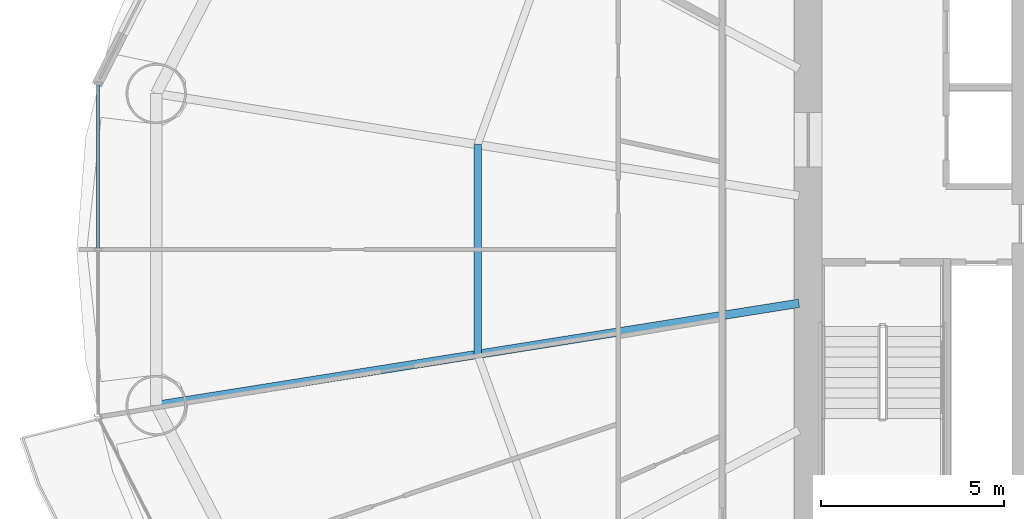
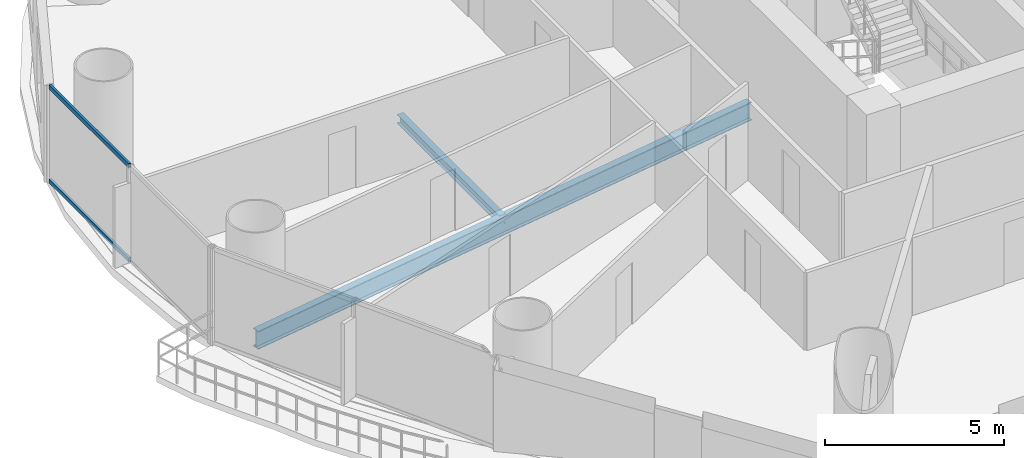
# One storey, part 7 of 29: 2 beams, 2 members, 1 element without a shape of its own.
"""IFC4 building model written with IfcOpenShell, lengths in metres."""

from ifc_helpers import new_model, si_unit, direction, frame, origin, origin_2d, place, context, subcontext, project, spatial, hollow_rectangle, i_section, extrude, source, transform, mapped, material, material_profile, profile_set, type_object, element, aggregate, save


model = new_model("IFC4")

# Units and contexts
model_context = context("Model", 3, precision=1e-05, world=origin(), true_north=direction((-0.2419218956, 0.970295726276)))
body_context = subcontext(model_context, "Body", "Model", "MODEL_VIEW")
ifc_project = project(units=[si_unit("LENGTHUNIT", "METRE"), si_unit("AREAUNIT", "SQUARE_METRE"), si_unit("VOLUMEUNIT", "CUBIC_METRE"), si_unit("PLANEANGLEUNIT", "RADIAN"), si_unit("MASSUNIT", "GRAM", prefix="KILO")], contexts=[model_context])

# Site, building, storey
site_placement = place(None, origin())
site = spatial("IfcSite", under=ifc_project, at=site_placement, CompositionType="ELEMENT")
building_placement = place(site_placement, origin())
building = spatial("IfcBuilding", under=site, at=building_placement, Name="Cobrevalo Terracotta Tower", CompositionType="ELEMENT")
storey_placement = place(building_placement, frame((0.0, 0.0, 49.199951171875)))
storey = spatial("IfcBuildingStorey", under=building, at=storey_placement, Name="L12", CompositionType="ELEMENT", Elevation=49.199951171875)

# Beams
ifc_material_1 = material(Name="Steel S355", Category="steel")
ifc_material_profile_1 = material_profile(ifc_material_1, i_section(OverallWidth=0.22998046875, OverallDepth=0.616943359375, WebThickness=0.01318359375, FlangeThickness=0.022216796875, at=origin_2d()), Name="W 610x140")
ifc_profile_set_1 = profile_set([ifc_material_profile_1], Name="Steel S355")
beam_type_1 = type_object("IfcBeamType", Name="Structural Beam W 610x140 (Steel S355)", PredefinedType="BEAM", material=ifc_profile_set_1)
beam_1_placement = place(storey_placement, frame((11.175537109375, 22.537353515625, -0.58837890625), z_axis=(0.987607924622, 0.156941349628, 0.0), x_axis=(-0.156941349628, 0.987607924622, 0.0)))
element("IfcBeam", 1, at=beam_1_placement, inside=storey, type_object=beam_type_1, Name="L12 radial floor girder 09", PredefinedType="BEAM", context=body_context, shape_type="SweptSolid", body=[
    extrude(i_section(OverallWidth=0.22998046875, OverallDepth=0.616943359375, WebThickness=0.01318359375, FlangeThickness=0.022216796875, at=origin_2d()), origin(), (0.0, 0.0, 1.0), 17.7900390625),
])
ifc_material_profile_2 = material_profile(ifc_material_1, i_section(OverallWidth=0.2041015625, OverallDepth=0.305908203125, WebThickness=0.008544921875, FlangeThickness=0.0146484375, at=origin_2d()), Name="W 310x67")
ifc_profile_set_2 = profile_set([ifc_material_profile_2], Name="Steel S355")
beam_type_2 = type_object("IfcBeamType", Name="Structural Joist W 310x67 (Steel S355)", PredefinedType="JOIST", material=ifc_profile_set_2)
beam_2_placement = place(storey_placement, frame((19.960205078125, 29.666748046875, -0.432861328125), z_axis=(0.0, -1.0, 0.0), x_axis=(1.0, 0.0, 0.0)))
element("IfcBeam", 2, at=beam_2_placement, inside=storey, type_object=beam_type_2, Name="L12 circumferential secondary floor joist 08", PredefinedType="JOIST", context=body_context, shape_type="SweptSolid", body=[
    extrude(i_section(OverallWidth=0.2041015625, OverallDepth=0.305908203125, WebThickness=0.008544921875, FlangeThickness=0.0146484375, at=origin_2d()), origin(), (0.0, 0.0, 1.0), 5.7333984375),
])

# Curtain wall, members
ifc_material_2 = material(Name="Anodized aluminium", Category="aluminium")
curtain_wall_type = type_object("IfcCurtainWallType", Name="Lower-tower unitised acoustic low-E curtain wall CW-U1", PredefinedType="NOTDEFINED", material=ifc_material_2)
curtain_wall_placement = place(storey_placement, origin())
curtain_wall = element("IfcCurtainWall", 3, at=curtain_wall_placement, inside=storey, type_object=curtain_wall_type, Name="L12 curtain wall CW-L12-S08", PredefinedType="NOTDEFINED")
ifc_material_profile_3 = material_profile(ifc_material_2, hollow_rectangle(XDim=0.074951171875, YDim=0.14990234375, WallThickness=0.00439453125, at=origin_2d()), Name="CWT 75x150")
ifc_profile_set_3 = profile_set([ifc_material_profile_3], Name="Anodized aluminium")
member_type = type_object("IfcMemberType", Name="Tower unitised aluminium transom 75x150", PredefinedType="USERDEFINED", material=ifc_profile_set_3)
shared_shape = source(origin(), body_context, "Body", "SweptSolid", [
    extrude(hollow_rectangle(XDim=0.074951171875, YDim=0.14990234375, WallThickness=0.00439453125, at=origin_2d()), origin(), (0.0, 0.0, 1.0), 4.458740234375),
])
member_1_placement = place(storey_placement, frame((9.586669921875, 31.298828125, 0.050048828125), z_axis=(0.0, -1.0, 0.0), x_axis=(1.0, 0.0, 0.0)))
member_1 = element("IfcMember", 4, at=member_1_placement, type_object=member_type, Name="CW-L12-S08 transom B01-T1", ObjectType="TRANSOM", PredefinedType="USERDEFINED", context=body_context, shape_type="MappedRepresentation", body=[
    mapped(shared_shape, transform((0.0, 0.0, 0.0), scale=1.0)),
])
member_2_placement = place(storey_placement, frame((9.586669921875, 31.298828125, 3.27001953125), z_axis=(0.0, -1.0, 0.0), x_axis=(1.0, 0.0, 0.0)))
member_2 = element("IfcMember", 5, at=member_2_placement, type_object=member_type, Name="CW-L12-S08 transom B01-T2", ObjectType="TRANSOM", PredefinedType="USERDEFINED", context=body_context, shape_type="MappedRepresentation", body=[
    mapped(shared_shape, transform((0.0, 0.0, 0.0), scale=1.0)),
])
aggregate(curtain_wall, [member_1, member_2])

save(model, "model.ifc")
